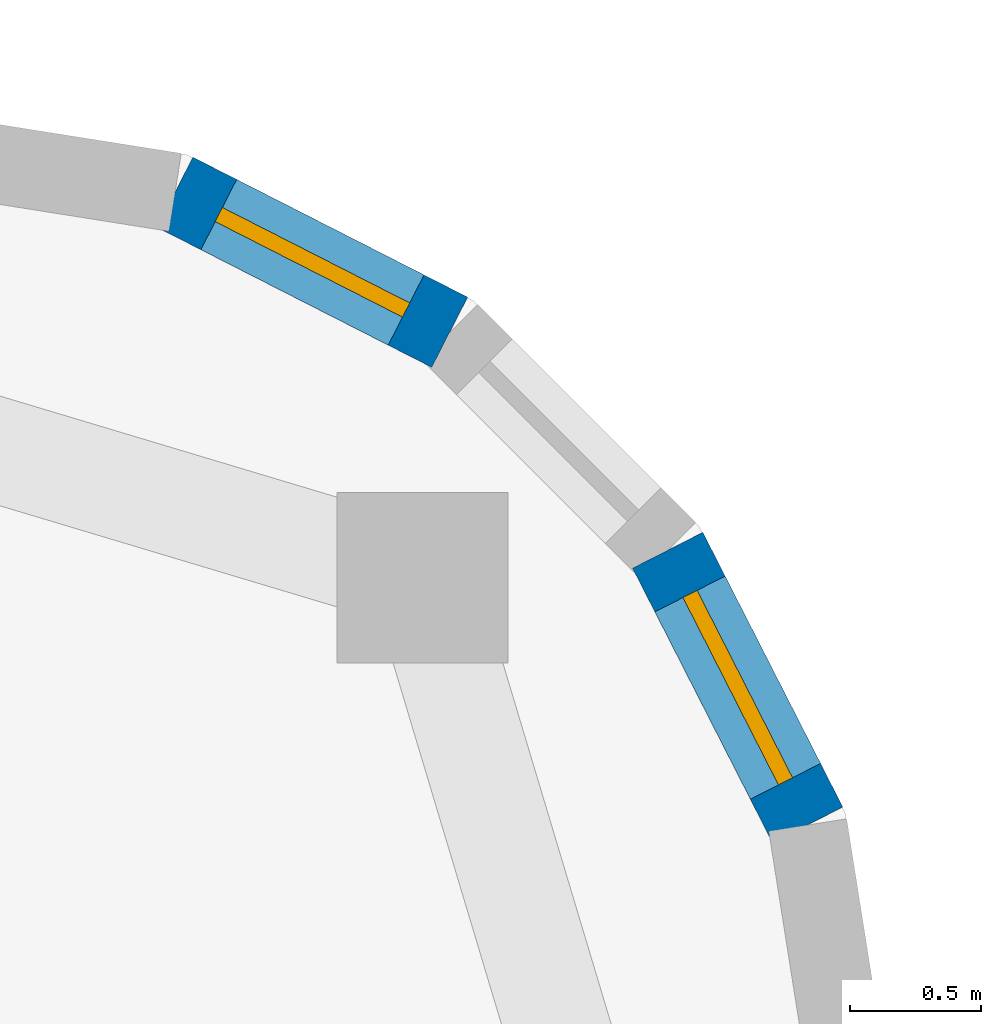
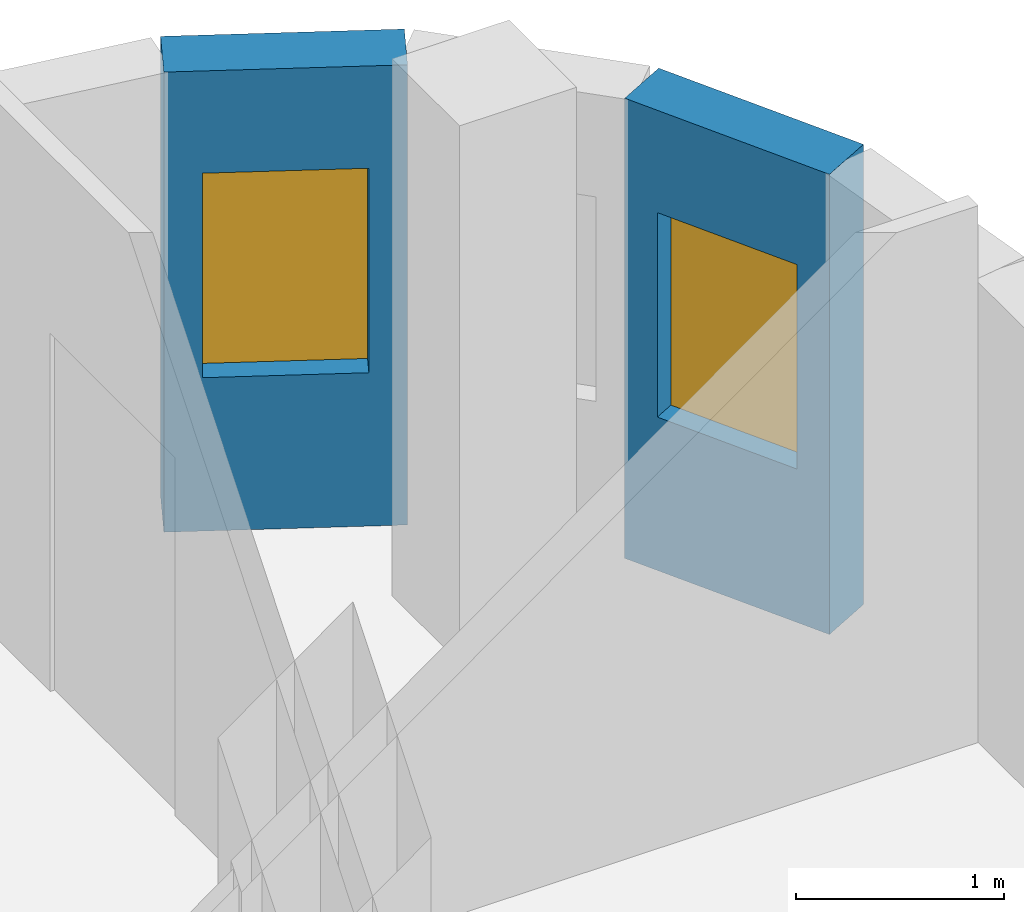
# One storey, part 9 of 13: 2 walls, 2 windows, 2 openings.
"""IFC4 building model written with IfcOpenShell, lengths in metres."""

from ifc_helpers import new_model, si_unit, direction, frame, frame_2d, origin, place, context, subcontext, project, spatial, rectangle, extrude, material, layer, layer_set, type_object, element, fill, save


model = new_model("IFC4")

# Units and contexts
model_context = context("Model", 3, precision=1e-05, world=origin(), true_north=direction((0.0, 1.0)))
body_context = subcontext(model_context, "Body", "Model", "MODEL_VIEW")
ifc_project = project(units=[si_unit("LENGTHUNIT", "METRE"), si_unit("AREAUNIT", "SQUARE_METRE"), si_unit("VOLUMEUNIT", "CUBIC_METRE"), si_unit("PLANEANGLEUNIT", "RADIAN"), si_unit("MASSUNIT", "GRAM", prefix="KILO")], contexts=[model_context])

# Site, building, storey
site_placement = place(None, origin())
site = spatial("IfcSite", under=ifc_project, at=site_placement, CompositionType="ELEMENT")
building_placement = place(site_placement, origin())
building = spatial("IfcBuilding", under=site, at=building_placement, Name="Ludao Terraces", CompositionType="ELEMENT")
storey_placement = place(building_placement, frame((0.0, 0.0, 249.39990234375)))
storey = spatial("IfcBuildingStorey", under=building, at=storey_placement, Name="L68", CompositionType="ELEMENT", Elevation=249.39990234375)

# Wall, opening, window
ifc_material_1 = material(Name="Granite cladding", Category="masonry")
ifc_layer_1 = layer(ifc_material_1, 0.0400390625, Category="stone")
ifc_material_2 = material(Name="Mineral wool")
ifc_layer_2 = layer(ifc_material_2, 0.06005859375)
ifc_material_3 = material(Name="Concrete C40", Category="concrete")
ifc_layer_3 = layer(ifc_material_3, 0.199951171875, Category="concrete")
ifc_layer_set_1 = layer_set([ifc_layer_1, ifc_layer_2, ifc_layer_3], Name="ENV Stone-clad wall 300")
wall_type = type_object("IfcWallType", Name="ENV Stone-clad wall 300", PredefinedType="SOLIDWALL", material=ifc_layer_set_1)
wall_1_placement = place(storey_placement, frame((104.16650390625, 81.7587890625, 0.0), z_axis=(0.0, 0.0, 1.0), x_axis=(-0.454025524128, 0.890988677504, 0.0)))
wall_1 = element("IfcWall", 1, at=wall_1_placement, inside=storey, type_object=wall_type, Name="EW-L68-NE2", PredefinedType="SOLIDWALL", context=body_context, shape_type="SweptSolid", body=[
    extrude(rectangle(XDim=1.17333984375, YDim=0.300048828125, at=frame_2d((0.586669921875, 0.0))), origin(), (0.0, 0.0, 1.0), 2.7001953125),
])
opening_1_placement = place(wall_1_placement, frame((0.1865234375, 0.0, 0.89990234375)))
opening_1 = element("IfcOpeningElement", 2, at=opening_1_placement, cuts=wall_1, Name="Opening W3", PredefinedType="OPENING", context=body_context, shape_type="SweptSolid", body=[
    extrude(rectangle(XDim=0.800048828125, YDim=1.199951171875, at=frame_2d((0.39990234375, 0.60009765625))), frame((0.0, 0.16015625, 0.0), z_axis=(0.0, -1.0, 0.0), x_axis=(1.0, 0.0, 0.0)), (0.0, 0.0, 1.0), 0.320068359375),
])
ifc_material_4 = material(Name="Clear glass in aluminium frame", Category="aluminium")
ifc_layer_4 = layer(ifc_material_4, 0.06005859375)
ifc_layer_set_2 = layer_set([ifc_layer_4], Name="ENV Window W3 800x1200")
window_type = type_object("IfcWindowType", Name="ENV Window W3 800x1200", PartitioningType="SINGLE_PANEL", PredefinedType="WINDOW", material=ifc_layer_set_2)
window_1_placement = place(opening_1_placement, origin())
window_1 = element("IfcWindow", 3, at=window_1_placement, inside=storey, type_object=window_type, Name="W-L68-NE2", OverallHeight=1.199951171875, OverallWidth=0.800048828125, PartitioningType="SINGLE_PANEL", PredefinedType="WINDOW", context=body_context, shape_type="SweptSolid", body=[
    extrude(rectangle(XDim=0.800048828125, YDim=1.199951171875, at=frame_2d((0.39990234375, 0.60009765625))), frame((0.0, 0.030029296875, 0.0), z_axis=(0.0, -1.0, 0.0), x_axis=(1.0, 0.0, 0.0)), (0.0, 0.0, 1.0), 0.06005859375),
])
fill(opening_1, window_1)

wall_2_placement = place(storey_placement, frame((102.80419921875, 83.6337890625, 0.0), z_axis=(0.0, 0.0, 1.0), x_axis=(-0.890988677504, 0.454025524128, 0.0)))
wall_2 = element("IfcWall", 4, at=wall_2_placement, inside=storey, type_object=wall_type, Name="EW-L68-NE4", PredefinedType="SOLIDWALL", context=body_context, shape_type="SweptSolid", body=[
    extrude(rectangle(XDim=1.17333984375, YDim=0.300048828125, at=frame_2d((0.586669921875, 0.0))), origin(), (0.0, 0.0, 1.0), 2.7001953125),
])
opening_2_placement = place(wall_2_placement, frame((0.1865234375, 0.0, 0.89990234375)))
opening_2 = element("IfcOpeningElement", 5, at=opening_2_placement, cuts=wall_2, Name="Opening W3", PredefinedType="OPENING", context=body_context, shape_type="SweptSolid", body=[
    extrude(rectangle(XDim=0.800048828125, YDim=1.199951171875, at=frame_2d((0.39990234375, 0.60009765625))), frame((0.0, 0.16015625, 0.0), z_axis=(0.0, -1.0, 0.0), x_axis=(1.0, 0.0, 0.0)), (0.0, 0.0, 1.0), 0.320068359375),
])
window_2_placement = place(opening_2_placement, origin())
window_2 = element("IfcWindow", 6, at=window_2_placement, inside=storey, type_object=window_type, Name="W-L68-NE4", OverallHeight=1.199951171875, OverallWidth=0.800048828125, PartitioningType="SINGLE_PANEL", PredefinedType="WINDOW", context=body_context, shape_type="SweptSolid", body=[
    extrude(rectangle(XDim=0.800048828125, YDim=1.199951171875, at=frame_2d((0.39990234375, 0.60009765625))), frame((0.0, 0.030029296875, 0.0), z_axis=(0.0, -1.0, 0.0), x_axis=(1.0, 0.0, 0.0)), (0.0, 0.0, 1.0), 0.06005859375),
])
fill(opening_2, window_2)

save(model, "model.ifc")
